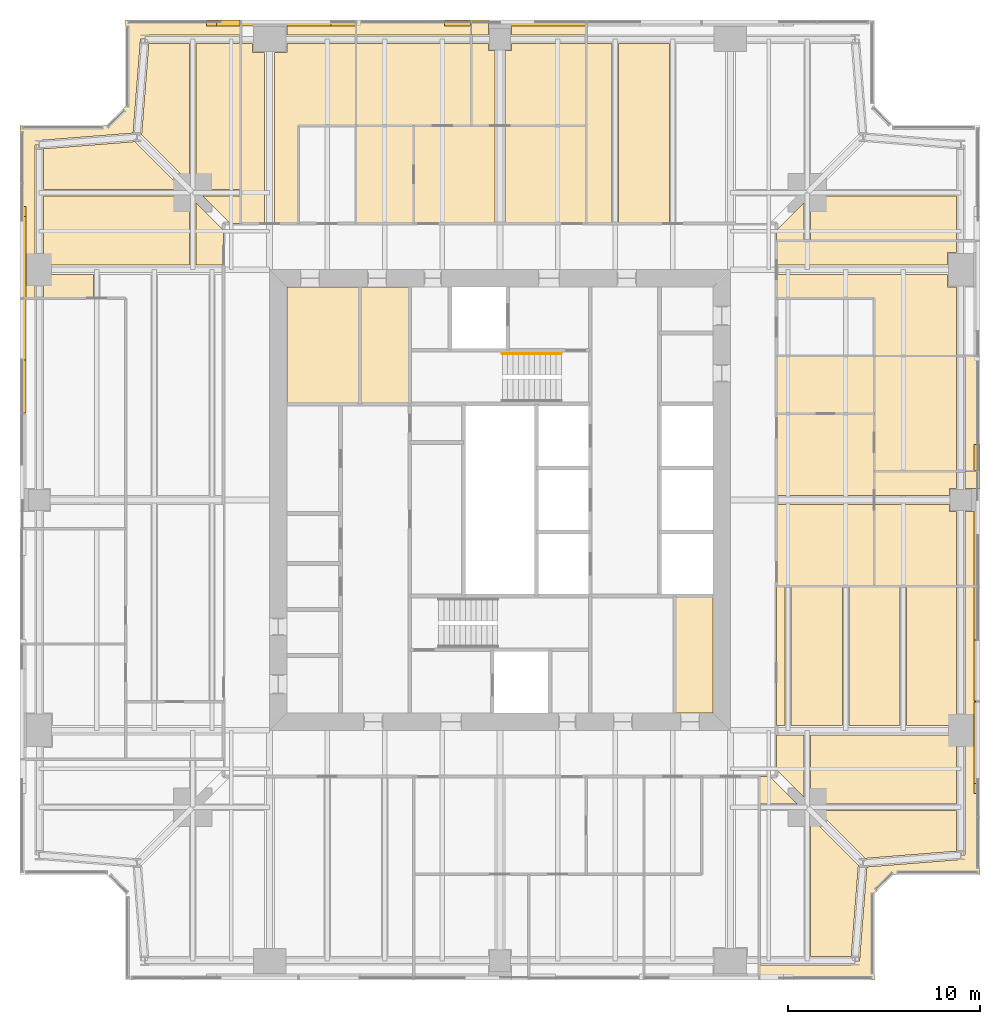
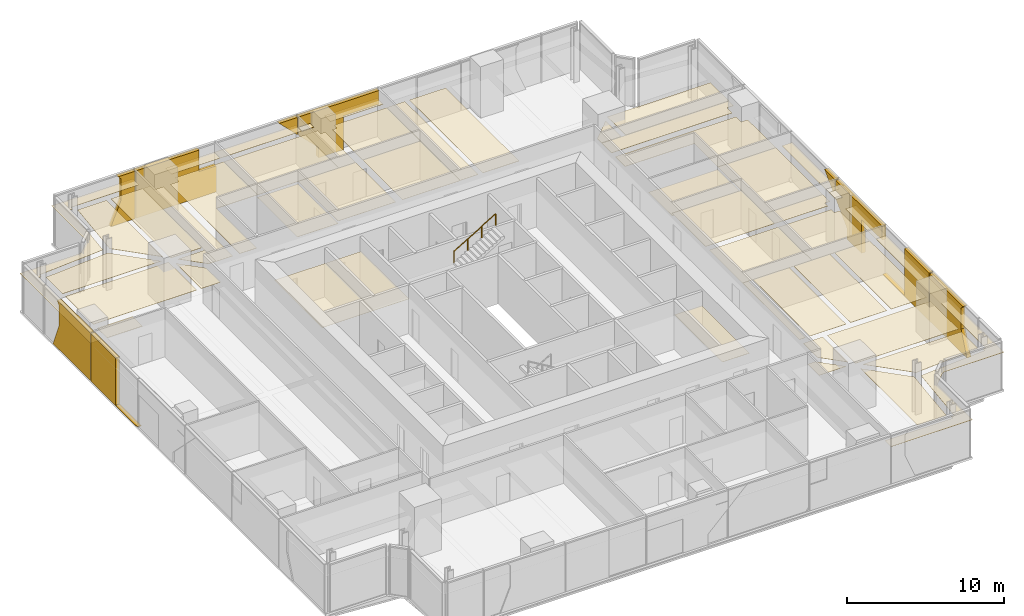
# One storey, part 14 of 15: 58 coverings, 1 railing.
"""IFC4 building model written with IfcOpenShell, lengths in metres."""

from ifc_helpers import new_model, si_unit, direction, frame, origin, origin_2d, place, context, subcontext, project, spatial, polyline, circle, outline, extrude, material, layer, layer_set, type_object, element, save


model = new_model("IFC4")

# Units and contexts
model_context = context("Model", 3, precision=1e-05, world=origin(), true_north=direction((0.0, 1.0)))
body_context = subcontext(model_context, "Body", "Model", "MODEL_VIEW")
ifc_project = project(units=[si_unit("LENGTHUNIT", "METRE"), si_unit("AREAUNIT", "SQUARE_METRE"), si_unit("VOLUMEUNIT", "CUBIC_METRE"), si_unit("PLANEANGLEUNIT", "RADIAN"), si_unit("MASSUNIT", "GRAM", prefix="KILO")], contexts=[model_context])

# Site, building, storey
site_placement = place(None, origin())
site = spatial("IfcSite", under=ifc_project, at=site_placement, CompositionType="ELEMENT")
building_placement = place(site_placement, origin())
building = spatial("IfcBuilding", under=site, at=building_placement, Name="Fenwick Lantern Interchange", CompositionType="ELEMENT")
storey_placement = place(building_placement, frame((0.0, 0.0, 229.800048828125)))
storey = spatial("IfcBuildingStorey", under=building, at=storey_placement, Name="L54", CompositionType="ELEMENT", Elevation=229.800048828125)

# Coverings
ifc_material_1 = material(Name="Mineral fibre acoustic tile on suspended grid")
ifc_layer_1 = layer(ifc_material_1, 0.02001953125)
ifc_layer_set_1 = layer_set([ifc_layer_1], Name="ACOUSTIC TILE CEILING 20")
covering_type_1 = type_object("IfcCoveringType", Name="ACOUSTIC TILE CEILING 20", PredefinedType="CEILING", material=ifc_layer_set_1)
covering_1_placement = place(storey_placement, frame((0.0, 0.0, 2.884033203125)))
element("IfcCovering", 1, at=covering_1_placement, inside=storey, type_object=covering_type_1, Name="Meeting room ceiling", PredefinedType="CEILING", context=body_context, shape_type="SweptSolid", body=[
    extrude(outline(polyline([(44.5, 20.5), (48.775634765625, 20.5), (48.775634765625, 24.39990234375), (48.39990234375, 24.39990234375), (48.39990234375, 24.775634765625), (44.5, 24.775634765625), (44.5, 20.5)])), origin(), (0.0, 0.0, 1.0), 0.02001953125),
])
covering_2_placement = place(storey_placement, frame((0.0, 0.0, 2.884033203125)))
element("IfcCovering", 2, at=covering_2_placement, inside=storey, type_object=covering_type_1, Name="Meeting room ceiling", PredefinedType="CEILING", context=body_context, shape_type="SweptSolid", body=[
    extrude(outline(polyline([(44.5, 26.5), (44.5, 25.224365234375), (48.39990234375, 25.224365234375), (48.39990234375, 25.60009765625), (48.775634765625, 25.60009765625), (48.775634765625, 26.5), (44.5, 26.5)])), origin(), (0.0, 0.0, 1.0), 0.02001953125),
])
covering_3_placement = place(storey_placement, frame((0.0, 0.0, 2.884033203125)))
element("IfcCovering", 3, at=covering_3_placement, inside=storey, type_object=covering_type_1, Name="Meeting room ceiling", PredefinedType="CEILING", context=body_context, shape_type="SweptSolid", body=[
    extrude(outline(polyline([(49.224365234375, 20.5), (50.0, 20.5), (50.0, 24.39990234375), (49.224365234375, 24.39990234375), (49.224365234375, 20.5)])), origin(), (0.0, 0.0, 1.0), 0.02001953125),
])
covering_4_placement = place(storey_placement, frame((0.0, 0.0, 2.884033203125)))
element("IfcCovering", 4, at=covering_4_placement, inside=storey, type_object=covering_type_1, Name="Meeting room ceiling", PredefinedType="CEILING", context=body_context, shape_type="SweptSolid", body=[
    extrude(outline(polyline([(50.0, 26.5), (49.224365234375, 26.5), (49.224365234375, 25.60009765625), (50.0, 25.60009765625), (50.0, 26.5)])), origin(), (0.0, 0.0, 1.0), 0.02001953125),
])
covering_5_placement = place(storey_placement, frame((0.0, 0.0, 2.884033203125)))
element("IfcCovering", 5, at=covering_5_placement, inside=storey, type_object=covering_type_1, Name="Meeting room ceiling", PredefinedType="CEILING", context=body_context, shape_type="SweptSolid", body=[
    extrude(outline(polyline([(44.5, 26.5), (48.775634765625, 26.5), (48.775634765625, 32.5), (44.5, 32.5), (44.5, 26.5)])), origin(), (0.0, 0.0, 1.0), 0.02001953125),
])
covering_6_placement = place(storey_placement, frame((0.0, 0.0, 2.884033203125)))
element("IfcCovering", 6, at=covering_6_placement, inside=storey, type_object=covering_type_1, Name="Meeting room ceiling", PredefinedType="CEILING", context=body_context, shape_type="SweptSolid", body=[
    extrude(outline(polyline([(50.0, 32.5), (49.224365234375, 32.5), (49.224365234375, 26.5), (50.0, 26.5), (50.0, 32.5)])), origin(), (0.0, 0.0, 1.0), 0.02001953125),
])
covering_7_placement = place(storey_placement, frame((0.0, 0.0, 2.89990234375)))
element("IfcCovering", 7, at=covering_7_placement, inside=storey, type_object=covering_type_1, Name="Open office ceiling", PredefinedType="CEILING", context=body_context, shape_type="SweptSolid", body=[
    extrude(outline(polyline([(48.775634765625, 12.756591796875), (41.166015625, 12.756591796875), (41.166015625, 9.17822265625), (41.172119140625, 9.172119140625), (41.17822265625, 9.166015625), (48.775634765625, 9.166015625), (48.775634765625, 12.756591796875)])), origin(), (0.0, 0.0, 1.0), 0.02001953125),
])
covering_8_placement = place(storey_placement, frame((0.0, 0.0, 2.89990234375)))
element("IfcCovering", 8, at=covering_8_placement, inside=storey, type_object=covering_type_1, Name="Open office ceiling", PredefinedType="CEILING", context=body_context, shape_type="SweptSolid", body=[
    extrude(outline(polyline([(50.0, 5.5), (50.0, 20.5), (49.224365234375, 20.5), (49.224365234375, 13.0), (49.224365234375, 6.5), (49.0, 6.5), (49.017578125, 6.276123046875), (44.10888671875, 5.89111328125), (43.723876953125, 0.982421875), (43.5, 1.0), (43.5, 0.775634765625), (38.5, 0.775634765625), (38.5, 0.0), (44.5, 0.0), (44.5, 4.5), (45.5, 5.5), (50.0, 5.5)])), origin(), (0.0, 0.0, 1.0), 0.02001953125),
])
covering_9_placement = place(storey_placement, frame((0.0, 0.0, 2.89990234375)))
element("IfcCovering", 9, at=covering_9_placement, inside=storey, type_object=covering_type_1, Name="Open office ceiling", PredefinedType="CEILING", context=body_context, shape_type="SweptSolid", body=[
    extrude(outline(polyline([(42.833984375, 20.5), (40.166015625, 20.5), (40.166015625, 13.243408203125), (42.833984375, 13.243408203125), (42.833984375, 20.5)])), origin(), (0.0, 0.0, 1.0), 0.02001953125),
])
covering_10_placement = place(storey_placement, frame((0.0, 0.0, 2.89990234375)))
element("IfcCovering", 10, at=covering_10_placement, inside=storey, type_object=covering_type_1, Name="Open office ceiling", PredefinedType="CEILING", context=body_context, shape_type="SweptSolid", body=[
    extrude(outline(polyline([(45.833984375, 20.5), (43.166015625, 20.5), (43.166015625, 13.243408203125), (45.833984375, 13.243408203125), (45.833984375, 20.5)])), origin(), (0.0, 0.0, 1.0), 0.02001953125),
])
covering_11_placement = place(storey_placement, frame((0.0, 0.0, 2.89990234375)))
element("IfcCovering", 11, at=covering_11_placement, inside=storey, type_object=covering_type_1, Name="Open office ceiling", PredefinedType="CEILING", context=body_context, shape_type="SweptSolid", body=[
    extrude(outline(polyline([(48.775634765625, 20.5), (46.166015625, 20.5), (46.166015625, 13.243408203125), (48.775634765625, 13.243408203125), (48.775634765625, 20.5)])), origin(), (0.0, 0.0, 1.0), 0.02001953125),
])
covering_12_placement = place(storey_placement, frame((0.0, 0.0, 2.89990234375)))
element("IfcCovering", 12, at=covering_12_placement, inside=storey, type_object=covering_type_1, Name="Open office ceiling", PredefinedType="CEILING", context=body_context, shape_type="SweptSolid", body=[
    extrude(outline(polyline([(41.510498046875, 8.833984375), (44.010498046875, 6.333740234375), (48.775634765625, 6.70751953125), (48.775634765625, 8.833984375), (41.510498046875, 8.833984375)])), origin(), (0.0, 0.0, 1.0), 0.02001953125),
])
covering_13_placement = place(storey_placement, frame((0.0, 0.0, 2.89990234375)))
element("IfcCovering", 13, at=covering_13_placement, inside=storey, type_object=covering_type_1, Name="Open office ceiling", PredefinedType="CEILING", context=body_context, shape_type="SweptSolid", body=[
    extrude(outline(polyline([(43.666259765625, 5.989501953125), (41.166015625, 8.489501953125), (41.166015625, 1.224365234375), (43.29248046875, 1.224365234375), (43.666259765625, 5.989501953125)])), origin(), (0.0, 0.0, 1.0), 0.02001953125),
])
covering_14_placement = place(storey_placement, frame((0.0, 0.0, 2.89990234375)))
element("IfcCovering", 14, at=covering_14_placement, inside=storey, type_object=covering_type_1, Name="Open office ceiling", PredefinedType="CEILING", context=body_context, shape_type="SweptSolid", body=[
    extrude(outline(polyline([(39.39990234375, 12.756591796875), (39.39990234375, 10.9443359375), (40.833984375, 9.510498046875), (40.833984375, 12.756591796875), (39.39990234375, 12.756591796875)])), origin(), (0.0, 0.0, 1.0), 0.02001953125),
])
covering_15_placement = place(storey_placement, frame((0.0, 0.0, 2.89990234375)))
element("IfcCovering", 15, at=covering_15_placement, inside=storey, type_object=covering_type_1, Name="Open office ceiling", PredefinedType="CEILING", context=body_context, shape_type="SweptSolid", body=[
    extrude(outline(polyline([(39.39990234375, 20.5), (39.39990234375, 13.243408203125), (39.833984375, 13.243408203125), (39.833984375, 20.5), (39.39990234375, 20.5)])), origin(), (0.0, 0.0, 1.0), 0.02001953125),
])
covering_16_placement = place(storey_placement, frame((0.0, 0.0, 2.89990234375)))
element("IfcCovering", 16, at=covering_16_placement, inside=storey, type_object=covering_type_1, Name="Open office ceiling", PredefinedType="CEILING", context=body_context, shape_type="SweptSolid", body=[
    extrude(outline(polyline([(38.5, 10.60009765625), (38.5, 9.166015625), (40.489501953125, 9.166015625), (39.0556640625, 10.60009765625), (38.5, 10.60009765625)])), origin(), (0.0, 0.0, 1.0), 0.02001953125),
])
covering_17_placement = place(storey_placement, frame((0.0, 0.0, 2.884033203125)))
element("IfcCovering", 17, at=covering_17_placement, inside=storey, type_object=covering_type_1, Name="Meeting room ceiling", PredefinedType="CEILING", context=body_context, shape_type="SweptSolid", body=[
    extrude(outline(polyline([(48.300048828125, 36.10009765625), (48.300048828125, 36.756591796875), (39.39990234375, 36.756591796875), (39.39990234375, 35.5), (44.5, 35.5), (44.5, 32.5), (48.775634765625, 32.5), (48.775634765625, 36.10009765625), (48.300048828125, 36.10009765625)])), origin(), (0.0, 0.0, 1.0), 0.02001953125),
])
covering_18_placement = place(storey_placement, frame((0.0, 0.0, 2.884033203125)))
element("IfcCovering", 18, at=covering_18_placement, inside=storey, type_object=covering_type_1, Name="Meeting room ceiling", PredefinedType="CEILING", context=body_context, shape_type="SweptSolid", body=[
    extrude(outline(polyline([(48.300048828125, 37.89990234375), (48.775634765625, 37.89990234375), (48.775634765625, 38.5), (39.39990234375, 38.5), (39.39990234375, 37.243408203125), (48.300048828125, 37.243408203125), (48.300048828125, 37.89990234375)])), origin(), (0.0, 0.0, 1.0), 0.02001953125),
])
covering_19_placement = place(storey_placement, frame((0.0, 0.0, 2.884033203125)))
element("IfcCovering", 19, at=covering_19_placement, inside=storey, type_object=covering_type_1, Name="Meeting room ceiling", PredefinedType="CEILING", context=body_context, shape_type="SweptSolid", body=[
    extrude(outline(polyline([(29.5, 44.5), (29.5, 48.775634765625), (25.60009765625, 48.775634765625), (25.60009765625, 48.39990234375), (25.256103515625, 48.39990234375), (25.256103515625, 44.5), (29.5, 44.5)])), origin(), (0.0, 0.0, 1.0), 0.02001953125),
])
covering_20_placement = place(storey_placement, frame((0.0, 0.0, 2.884033203125)))
element("IfcCovering", 20, at=covering_20_placement, inside=storey, type_object=covering_type_1, Name="Meeting room ceiling", PredefinedType="CEILING", context=body_context, shape_type="SweptSolid", body=[
    extrude(outline(polyline([(23.5, 44.5), (24.743896484375, 44.5), (24.743896484375, 48.39990234375), (24.39990234375, 48.39990234375), (24.39990234375, 48.775634765625), (23.5, 48.775634765625), (23.5, 44.5)])), origin(), (0.0, 0.0, 1.0), 0.02001953125),
])
covering_21_placement = place(storey_placement, frame((0.0, 0.0, 2.884033203125)))
element("IfcCovering", 21, at=covering_21_placement, inside=storey, type_object=covering_type_1, Name="Meeting room ceiling", PredefinedType="CEILING", context=body_context, shape_type="SweptSolid", body=[
    extrude(outline(polyline([(29.5, 49.224365234375), (29.5, 50.0), (25.60009765625, 50.0), (25.60009765625, 49.224365234375), (29.5, 49.224365234375)])), origin(), (0.0, 0.0, 1.0), 0.02001953125),
])
covering_22_placement = place(storey_placement, frame((0.0, 0.0, 2.884033203125)))
element("IfcCovering", 22, at=covering_22_placement, inside=storey, type_object=covering_type_1, Name="Meeting room ceiling", PredefinedType="CEILING", context=body_context, shape_type="SweptSolid", body=[
    extrude(outline(polyline([(23.5, 50.0), (23.5, 49.224365234375), (24.39990234375, 49.224365234375), (24.39990234375, 50.0), (23.5, 50.0)])), origin(), (0.0, 0.0, 1.0), 0.02001953125),
])
covering_23_placement = place(storey_placement, frame((0.0, 0.0, 2.884033203125)))
element("IfcCovering", 23, at=covering_23_placement, inside=storey, type_object=covering_type_1, Name="Meeting room ceiling", PredefinedType="CEILING", context=body_context, shape_type="SweptSolid", body=[
    extrude(outline(polyline([(23.5, 44.5), (23.5, 48.775634765625), (17.5, 48.775634765625), (17.5, 44.5), (23.5, 44.5)])), origin(), (0.0, 0.0, 1.0), 0.02001953125),
])
covering_24_placement = place(storey_placement, frame((0.0, 0.0, 2.884033203125)))
element("IfcCovering", 24, at=covering_24_placement, inside=storey, type_object=covering_type_1, Name="Meeting room ceiling", PredefinedType="CEILING", context=body_context, shape_type="SweptSolid", body=[
    extrude(outline(polyline([(17.5, 50.0), (17.5, 49.224365234375), (23.5, 49.224365234375), (23.5, 50.0), (17.5, 50.0)])), origin(), (0.0, 0.0, 1.0), 0.02001953125),
])
covering_25_placement = place(storey_placement, frame((0.0, 0.0, 2.89990234375)))
element("IfcCovering", 25, at=covering_25_placement, inside=storey, type_object=covering_type_1, Name="Open office ceiling", PredefinedType="CEILING", context=body_context, shape_type="SweptSolid", body=[
    extrude(outline(polyline([(31.166015625, 39.39990234375), (33.833984375, 39.39990234375), (33.833984375, 48.775634765625), (31.166015625, 48.775634765625), (31.166015625, 39.39990234375)])), origin(), (0.0, 0.0, 1.0), 0.02001953125),
])
covering_26_placement = place(storey_placement, frame((0.0, 0.0, 2.89990234375)))
element("IfcCovering", 26, at=covering_26_placement, inside=storey, type_object=covering_type_1, Name="Open office ceiling", PredefinedType="CEILING", context=body_context, shape_type="SweptSolid", body=[
    extrude(outline(polyline([(41.166015625, 38.5), (48.775634765625, 38.5), (48.775634765625, 40.833984375), (41.17822265625, 40.833984375), (41.172119140625, 40.827880859375), (41.166015625, 40.82177734375), (41.166015625, 38.5)])), origin(), (0.0, 0.0, 1.0), 0.02001953125),
])
covering_27_placement = place(storey_placement, frame((0.0, 0.0, 2.89990234375)))
element("IfcCovering", 27, at=covering_27_placement, inside=storey, type_object=covering_type_1, Name="Open office ceiling", PredefinedType="CEILING", context=body_context, shape_type="SweptSolid", body=[
    extrude(outline(polyline([(29.5, 39.39990234375), (30.833984375, 39.39990234375), (30.833984375, 48.775634765625), (29.5, 48.775634765625), (29.5, 39.39990234375)])), origin(), (0.0, 0.0, 1.0), 0.02001953125),
])
covering_28_placement = place(storey_placement, frame((0.0, 0.0, 2.89990234375)))
element("IfcCovering", 28, at=covering_28_placement, inside=storey, type_object=covering_type_1, Name="Open office ceiling", PredefinedType="CEILING", context=body_context, shape_type="SweptSolid", body=[
    extrude(outline(polyline([(39.39990234375, 38.5), (40.833984375, 38.5), (40.833984375, 40.489501953125), (39.39990234375, 39.0556640625), (39.39990234375, 38.5)])), origin(), (0.0, 0.0, 1.0), 0.02001953125),
])
covering_29_placement = place(storey_placement, frame((0.0, 0.0, 2.884033203125)))
element("IfcCovering", 29, at=covering_29_placement, inside=storey, type_object=covering_type_1, Name="Meeting room ceiling", PredefinedType="CEILING", context=body_context, shape_type="SweptSolid", body=[
    extrude(outline(polyline([(13.89990234375, 48.300048828125), (13.256103515625, 48.300048828125), (13.256103515625, 39.39990234375), (14.5, 39.39990234375), (14.5, 44.5), (17.5, 44.5), (17.5, 48.775634765625), (13.89990234375, 48.775634765625), (13.89990234375, 48.300048828125)])), origin(), (0.0, 0.0, 1.0), 0.02001953125),
])
covering_30_placement = place(storey_placement, frame((0.0, 0.0, 2.884033203125)))
element("IfcCovering", 30, at=covering_30_placement, inside=storey, type_object=covering_type_1, Name="Meeting room ceiling", PredefinedType="CEILING", context=body_context, shape_type="SweptSolid", body=[
    extrude(outline(polyline([(12.10009765625, 48.300048828125), (12.10009765625, 48.775634765625), (11.5, 48.775634765625), (11.5, 39.39990234375), (12.743896484375, 39.39990234375), (12.743896484375, 48.300048828125), (12.10009765625, 48.300048828125)])), origin(), (0.0, 0.0, 1.0), 0.02001953125),
])
covering_31_placement = place(storey_placement, frame((0.0, 0.0, 2.884033203125)))
element("IfcCovering", 31, at=covering_31_placement, inside=storey, type_object=covering_type_1, Name="Meeting room ceiling", PredefinedType="CEILING", context=body_context, shape_type="SweptSolid", body=[
    extrude(outline(polyline([(13.89990234375, 50.0), (13.89990234375, 49.224365234375), (17.5, 49.224365234375), (17.5, 50.0), (13.89990234375, 50.0)])), origin(), (0.0, 0.0, 1.0), 0.02001953125),
])
covering_32_placement = place(storey_placement, frame((0.0, 0.0, 2.89990234375)))
element("IfcCovering", 32, at=covering_32_placement, inside=storey, type_object=covering_type_1, Name="Open office ceiling", PredefinedType="CEILING", context=body_context, shape_type="SweptSolid", body=[
    extrude(outline(polyline([(8.82177734375, 40.833984375), (1.224365234375, 40.833984375), (1.224365234375, 37.243408203125), (8.833984375, 37.243408203125), (8.833984375, 40.82177734375), (8.827880859375, 40.827880859375), (8.82177734375, 40.833984375)])), origin(), (0.0, 0.0, 1.0), 0.02001953125),
])
covering_33_placement = place(storey_placement, frame((0.0, 0.0, 2.89990234375)))
element("IfcCovering", 33, at=covering_33_placement, inside=storey, type_object=covering_type_1, Name="Open office ceiling", PredefinedType="CEILING", context=body_context, shape_type="SweptSolid", body=[
    extrude(outline(polyline([(11.5, 49.224365234375), (11.5, 50.0), (5.5, 50.0), (5.5, 45.5), (4.5, 44.5), (0.0, 44.5), (0.0, 35.5), (0.775634765625, 35.5), (0.775634765625, 37.0), (0.775634765625, 37.0), (0.775634765625, 43.5), (1.0, 43.5), (0.982421875, 43.723876953125), (5.89111328125, 44.10888671875), (6.276123046875, 49.017578125), (6.5, 49.0), (6.5, 49.224365234375), (11.5, 49.224365234375)])), origin(), (0.0, 0.0, 1.0), 0.02001953125),
])
covering_34_placement = place(storey_placement, frame((0.0, 0.0, 2.89990234375)))
element("IfcCovering", 34, at=covering_34_placement, inside=storey, type_object=covering_type_1, Name="Open office ceiling", PredefinedType="CEILING", context=body_context, shape_type="SweptSolid", body=[
    extrude(outline(polyline([(11.5, 41.166015625), (11.5, 48.775634765625), (9.166015625, 48.775634765625), (9.166015625, 41.17822265625), (9.172119140625, 41.172119140625), (9.17822265625, 41.166015625), (11.5, 41.166015625)])), origin(), (0.0, 0.0, 1.0), 0.02001953125),
])
covering_35_placement = place(storey_placement, frame((0.0, 0.0, 2.89990234375)))
element("IfcCovering", 35, at=covering_35_placement, inside=storey, type_object=covering_type_1, Name="Open office ceiling", PredefinedType="CEILING", context=body_context, shape_type="SweptSolid", body=[
    extrude(outline(polyline([(6.70751953125, 48.775634765625), (6.333740234375, 44.010498046875), (8.833984375, 41.510498046875), (8.833984375, 48.775634765625), (6.70751953125, 48.775634765625)])), origin(), (0.0, 0.0, 1.0), 0.02001953125),
])
covering_36_placement = place(storey_placement, frame((0.0, 0.0, 2.89990234375)))
element("IfcCovering", 36, at=covering_36_placement, inside=storey, type_object=covering_type_1, Name="Open office ceiling", PredefinedType="CEILING", context=body_context, shape_type="SweptSolid", body=[
    extrude(outline(polyline([(5.989501953125, 43.666259765625), (1.224365234375, 43.29248046875), (1.224365234375, 41.166015625), (8.489501953125, 41.166015625), (5.989501953125, 43.666259765625)])), origin(), (0.0, 0.0, 1.0), 0.02001953125),
])
covering_37_placement = place(storey_placement, frame((0.0, 0.0, 2.89990234375)))
element("IfcCovering", 37, at=covering_37_placement, inside=storey, type_object=covering_type_1, Name="Open office ceiling", PredefinedType="CEILING", context=body_context, shape_type="SweptSolid", body=[
    extrude(outline(polyline([(10.60009765625, 37.243408203125), (10.60009765625, 39.0556640625), (9.166015625, 40.489501953125), (9.166015625, 37.243408203125), (10.60009765625, 37.243408203125)])), origin(), (0.0, 0.0, 1.0), 0.02001953125),
])
covering_38_placement = place(storey_placement, frame((0.0, 0.0, 2.89990234375)))
element("IfcCovering", 38, at=covering_38_placement, inside=storey, type_object=covering_type_1, Name="Open office ceiling", PredefinedType="CEILING", context=body_context, shape_type="SweptSolid", body=[
    extrude(outline(polyline([(1.224365234375, 35.5), (3.833984375, 35.5), (3.833984375, 36.756591796875), (1.224365234375, 36.756591796875), (1.224365234375, 35.5)])), origin(), (0.0, 0.0, 1.0), 0.02001953125),
])
covering_39_placement = place(storey_placement, frame((0.0, 0.0, 2.89990234375)))
element("IfcCovering", 39, at=covering_39_placement, inside=storey, type_object=covering_type_1, Name="Open office ceiling", PredefinedType="CEILING", context=body_context, shape_type="SweptSolid", body=[
    extrude(outline(polyline([(11.5, 39.39990234375), (11.5, 40.833984375), (9.510498046875, 40.833984375), (10.9443359375, 39.39990234375), (11.5, 39.39990234375)])), origin(), (0.0, 0.0, 1.0), 0.02001953125),
])
ifc_material_2 = material(Name="Granite cladding, warm grey flamed finish, on aluminium carrier frame", Category="masonry")
ifc_layer_2 = layer(ifc_material_2, 0.300048828125)
ifc_layer_set_2 = layer_set([ifc_layer_2], Name="BRACE CASING PANEL 300")
covering_type_2 = type_object("IfcCoveringType", Name="BRACE CASING PANEL 300", PredefinedType="CLADDING", material=ifc_layer_set_2)
covering_40_placement = place(storey_placement, frame((49.89990234375, 5.60009765625, 0.0), z_axis=(0.0, 0.0, 1.0), x_axis=(0.0, 1.0, 0.0)))
element("IfcCovering", 40, at=covering_40_placement, inside=storey, type_object=covering_type_2, Name="Brace casing 05 bay 01a", PredefinedType="CLADDING", context=body_context, shape_type="SweptSolid", body=[
    extrude(outline(polyline([(4.113525390625, 0.0), (8.867431640625, 0.0), (8.867431640625, 3.699951171875), (4.637451171875, 3.699951171875), (4.8544921875, 3.463134765625), (4.8544921875, 1.810791015625), (4.113525390625, 0.0)])), frame((0.0, 0.2001953125, 0.0), z_axis=(0.0, -1.0, 0.0), x_axis=(1.0, 0.0, 0.0)), (0.0, 0.0, 1.0), 0.300048828125),
])
covering_41_placement = place(storey_placement, frame((49.89990234375, 5.60009765625, 0.0), z_axis=(0.0, 0.0, 1.0), x_axis=(0.0, 1.0, 0.0)))
element("IfcCovering", 41, at=covering_41_placement, inside=storey, type_object=covering_type_2, Name="Brace casing 05 bay 02a", PredefinedType="CLADDING", context=body_context, shape_type="SweptSolid", body=[
    extrude(outline(polyline([(8.9326171875, 0.0), (14.867431640625, 0.0), (14.867431640625, 0.039306640625), (12.103271484375, 0.039306640625), (12.103271484375, 3.699951171875), (8.9326171875, 3.699951171875), (8.9326171875, 0.0)])), frame((0.0, 0.2001953125, 0.0), z_axis=(0.0, -1.0, 0.0), x_axis=(1.0, 0.0, 0.0)), (0.0, 0.0, 1.0), 0.300048828125),
])
covering_42_placement = place(storey_placement, frame((49.89990234375, 5.60009765625, 0.0), z_axis=(0.0, 0.0, 1.0), x_axis=(0.0, 1.0, 0.0)))
element("IfcCovering", 42, at=covering_42_placement, inside=storey, type_object=covering_type_2, Name="Brace casing 05 bay 03a", PredefinedType="CLADDING", context=body_context, shape_type="SweptSolid", body=[
    extrude(outline(polyline([(17.567626953125, 0.0), (19.39990234375, 0.0), (19.39990234375, 0.804443359375), (20.867431640625, 2.27197265625), (20.867431640625, 3.699951171875), (14.9326171875, 3.699951171875), (14.9326171875, 2.636962890625), (17.567626953125, 2.636962890625), (17.567626953125, 0.0)])), frame((0.0, 0.2001953125, 0.0), z_axis=(0.0, -1.0, 0.0), x_axis=(1.0, 0.0, 0.0)), (0.0, 0.0, 1.0), 0.300048828125),
])
covering_43_placement = place(storey_placement, frame((49.89990234375, 5.60009765625, 2.3369140625), z_axis=(0.0, 0.0, 1.0), x_axis=(0.0, 1.0, 0.0)))
element("IfcCovering", 43, at=covering_43_placement, inside=storey, type_object=covering_type_2, Name="Brace casing 05 bay 04a", PredefinedType="CLADDING", context=body_context, shape_type="SweptSolid", body=[
    extrude(outline(polyline([(20.9326171875, 0.0), (22.295654296875, 1.363037109375), (20.9326171875, 1.363037109375), (20.9326171875, 0.0)])), frame((0.0, 0.2001953125, 0.0), z_axis=(0.0, -1.0, 0.0), x_axis=(1.0, 0.0, 0.0)), (0.0, 0.0, 1.0), 0.300048828125),
])
covering_44_placement = place(storey_placement, frame((44.39990234375, 49.89990234375, 0.0), z_axis=(0.0, 0.0, 1.0), x_axis=(-1.0, 0.0, 0.0)))
element("IfcCovering", 44, at=covering_44_placement, inside=storey, type_object=covering_type_2, Name="Brace casing 09 bay 03a", PredefinedType="CLADDING", context=body_context, shape_type="SweptSolid", body=[
    extrude(outline(polyline([(17.567626953125, 0.0), (19.39990234375, 0.0), (19.39990234375, 0.804443359375), (20.867431640625, 2.27197265625), (20.867431640625, 3.699951171875), (14.9326171875, 3.699951171875), (14.9326171875, 2.636962890625), (17.567626953125, 2.636962890625), (17.567626953125, 0.0)])), frame((0.0, 0.2001953125, 0.0), z_axis=(0.0, -1.0, 0.0), x_axis=(1.0, 0.0, 0.0)), (0.0, 0.0, 1.0), 0.300048828125),
])
covering_45_placement = place(storey_placement, frame((44.39990234375, 49.89990234375, 2.3369140625), z_axis=(0.0, 0.0, 1.0), x_axis=(-1.0, 0.0, 0.0)))
element("IfcCovering", 45, at=covering_45_placement, inside=storey, type_object=covering_type_2, Name="Brace casing 09 bay 04a", PredefinedType="CLADDING", context=body_context, shape_type="SweptSolid", body=[
    extrude(outline(polyline([(20.9326171875, 0.0), (22.295654296875, 1.363037109375), (20.9326171875, 1.363037109375), (20.9326171875, 0.0)])), frame((0.0, 0.2001953125, 0.0), z_axis=(0.0, -1.0, 0.0), x_axis=(1.0, 0.0, 0.0)), (0.0, 0.0, 1.0), 0.300048828125),
])
covering_46_placement = place(storey_placement, frame((44.39990234375, 49.89990234375, 0.0), z_axis=(0.0, 0.0, 1.0), x_axis=(-1.0, 0.0, 0.0)))
element("IfcCovering", 46, at=covering_46_placement, inside=storey, type_object=covering_type_2, Name="Brace casing 09 bay 05a", PredefinedType="CLADDING", context=body_context, shape_type="SweptSolid", body=[
    extrude(outline(polyline([(26.9326171875, 0.0), (32.867431640625, 0.0), (32.867431640625, 3.699951171875), (28.197509765625, 3.699951171875), (28.197509765625, 2.02587890625), (26.9326171875, 2.02587890625), (26.9326171875, 0.0)])), frame((0.0, 0.2001953125, 0.0), z_axis=(0.0, -1.0, 0.0), x_axis=(1.0, 0.0, 0.0)), (0.0, 0.0, 1.0), 0.300048828125),
])
covering_47_placement = place(storey_placement, frame((44.39990234375, 49.89990234375, 0.0), z_axis=(0.0, 0.0, 1.0), x_axis=(-1.0, 0.0, 0.0)))
element("IfcCovering", 47, at=covering_47_placement, inside=storey, type_object=covering_type_2, Name="Brace casing 09 bay 06a", PredefinedType="CLADDING", context=body_context, shape_type="SweptSolid", body=[
    extrude(outline(polyline([(32.9326171875, 0.0), (34.6865234375, 0.0), (33.945556640625, 1.810791015625), (33.945556640625, 3.463134765625), (34.16259765625, 3.699951171875), (32.9326171875, 3.699951171875), (32.9326171875, 0.0)])), frame((0.0, 0.2001953125, 0.0), z_axis=(0.0, -1.0, 0.0), x_axis=(1.0, 0.0, 0.0)), (0.0, 0.0, 1.0), 0.300048828125),
])
covering_48_placement = place(storey_placement, frame((0.10009765625, 44.39990234375, 0.0), z_axis=(0.0, 0.0, 1.0), x_axis=(0.0, -1.0, 0.0)))
element("IfcCovering", 48, at=covering_48_placement, inside=storey, type_object=covering_type_2, Name="Brace casing 13 bay 01a", PredefinedType="CLADDING", context=body_context, shape_type="SweptSolid", body=[
    extrude(outline(polyline([(4.113525390625, 0.0), (8.867431640625, 0.0), (8.867431640625, 3.699951171875), (4.637451171875, 3.699951171875), (4.8544921875, 3.463134765625), (4.8544921875, 1.810791015625), (4.113525390625, 0.0)])), frame((0.0, 0.2001953125, 0.0), z_axis=(0.0, -1.0, 0.0), x_axis=(1.0, 0.0, 0.0)), (0.0, 0.0, 1.0), 0.300048828125),
])
covering_49_placement = place(storey_placement, frame((0.10009765625, 44.39990234375, 0.0), z_axis=(0.0, 0.0, 1.0), x_axis=(0.0, -1.0, 0.0)))
element("IfcCovering", 49, at=covering_49_placement, inside=storey, type_object=covering_type_2, Name="Brace casing 13 bay 02a", PredefinedType="CLADDING", context=body_context, shape_type="SweptSolid", body=[
    extrude(outline(polyline([(8.9326171875, 0.0), (14.867431640625, 0.0), (14.867431640625, 0.039306640625), (12.103271484375, 0.039306640625), (12.103271484375, 3.699951171875), (8.9326171875, 3.699951171875), (8.9326171875, 0.0)])), frame((0.0, 0.2001953125, 0.0), z_axis=(0.0, -1.0, 0.0), x_axis=(1.0, 0.0, 0.0)), (0.0, 0.0, 1.0), 0.300048828125),
])

# Railing
ifc_material_3 = material(Name="Stainless steel handrail", Category="steel")
railing_type = type_object("IfcRailingType", Name="HANDRAIL 900", PredefinedType="HANDRAIL", material=ifc_material_3)
railing_placement = place(storey_placement, frame((25.1201171875, 32.6259765625, 2.16650390625)))
element("IfcRailing", 50, at=railing_placement, inside=storey, type_object=railing_type, Name="L54/STAIR/ST2/HR2", PredefinedType="HANDRAIL", context=body_context, shape_type="SweptSolid", body=[
    extrude(circle(Radius=0.02392578125, at=origin_2d()), frame((0.0, 0.0, 0.8759765625), z_axis=(0.859260807169, 0.0, 0.511537745687), x_axis=(0.0, 1.0, 0.0)), (0.0, 0.0, 1.0), 3.584228515625),
    extrude(circle(Radius=0.02099609375, at=origin_2d()), origin(), (0.0, 0.0, 1.0), 0.851806640625),
    extrude(circle(Radius=0.02099609375, at=origin_2d()), frame((1.026611328125, 0.0, 0.611083984375)), (0.0, 0.0, 1.0), 0.851806640625),
    extrude(circle(Radius=0.02099609375, at=origin_2d()), frame((2.05322265625, 0.0, 1.222412109375)), (0.0, 0.0, 1.0), 0.851806640625),
    extrude(circle(Radius=0.02099609375, at=origin_2d()), frame((3.079833984375, 0.0, 1.83349609375)), (0.0, 0.0, 1.0), 0.851806640625),
])

# Coverings
ifc_material_4 = material(Name="Moisture resistant gypsum board on suspended frame, painted")
ifc_layer_3 = layer(ifc_material_4, 0.014892578125)
ifc_layer_set_3 = layer_set([ifc_layer_3], Name="MOISTURE RESISTANT CEILING 15")
covering_type_3 = type_object("IfcCoveringType", Name="MOISTURE RESISTANT CEILING 15", PredefinedType="CEILING", material=ifc_layer_set_3)
covering_50_placement = place(storey_placement, frame((0.0, 0.0, 2.599853515625)))
element("IfcCovering", 51, at=covering_50_placement, inside=storey, type_object=covering_type_3, Name="Men's WC ceiling", PredefinedType="CEILING", context=body_context, shape_type="SweptSolid", body=[
    extrude(outline(polyline([(34.10009765625, 13.89990234375), (36.10009765625, 13.89990234375), (36.10009765625, 20.0), (34.10009765625, 20.0), (34.10009765625, 13.89990234375)])), origin(), (0.0, 0.0, 1.0), 0.01513671875),
])
covering_51_placement = place(storey_placement, frame((0.0, 0.0, 2.599853515625)))
element("IfcCovering", 52, at=covering_51_placement, inside=storey, type_object=covering_type_3, Name="Men's WC ceiling", PredefinedType="CEILING", context=body_context, shape_type="SweptSolid", body=[
    extrude(outline(polyline([(20.300048828125, 36.10009765625), (17.699951171875, 36.10009765625), (17.699951171875, 30.0), (20.300048828125, 30.0), (20.300048828125, 36.10009765625)])), origin(), (0.0, 0.0, 1.0), 0.01513671875),
])
covering_52_placement = place(storey_placement, frame((0.0, 0.0, 2.599853515625)))
element("IfcCovering", 53, at=covering_52_placement, inside=storey, type_object=covering_type_3, Name="Women's WC ceiling", PredefinedType="CEILING", context=body_context, shape_type="SweptSolid", body=[
    extrude(outline(polyline([(17.699951171875, 36.10009765625), (13.89990234375, 36.10009765625), (13.89990234375, 30.0), (17.699951171875, 30.0), (17.699951171875, 36.10009765625)])), origin(), (0.0, 0.0, 1.0), 0.01513671875),
])
covering_53_placement = place(storey_placement, frame((0.0, 0.0, 2.699951171875)))
element("IfcCovering", 54, at=covering_53_placement, inside=storey, type_object=covering_type_3, Name="Pantry ceiling", PredefinedType="CEILING", context=body_context, shape_type="SweptSolid", body=[
    extrude(outline(polyline([(44.5, 29.5), (44.5, 32.5), (39.39990234375, 32.5), (39.39990234375, 29.5), (44.5, 29.5)])), origin(), (0.0, 0.0, 1.0), 0.014892578125),
])
covering_54_placement = place(storey_placement, frame((0.0, 0.0, 2.699951171875)))
element("IfcCovering", 55, at=covering_54_placement, inside=storey, type_object=covering_type_3, Name="Pantry ceiling", PredefinedType="CEILING", context=body_context, shape_type="SweptSolid", body=[
    extrude(outline(polyline([(20.5, 44.5), (17.5, 44.5), (17.5, 39.39990234375), (20.5, 39.39990234375), (20.5, 44.5)])), origin(), (0.0, 0.0, 1.0), 0.014892578125),
])
ifc_material_5 = material(Name="Gypsum plasterboard on suspended frame, painted")
ifc_layer_4 = layer(ifc_material_5, 0.014892578125)
ifc_layer_set_4 = layer_set([ifc_layer_4], Name="PLASTERBOARD CEILING 15")
covering_type_4 = type_object("IfcCoveringType", Name="PLASTERBOARD CEILING 15", PredefinedType="CEILING", material=ifc_layer_set_4)
covering_55_placement = place(storey_placement, frame((0.0, 0.0, 2.88916015625)))
element("IfcCovering", 56, at=covering_55_placement, inside=storey, type_object=covering_type_4, Name="Reception ceiling", PredefinedType="CEILING", context=body_context, shape_type="SweptSolid", body=[
    extrude(outline(polyline([(39.39990234375, 20.5), (44.5, 20.5), (44.5, 24.775634765625), (39.39990234375, 24.775634765625), (39.39990234375, 20.5)])), origin(), (0.0, 0.0, 1.0), 0.014892578125),
])
covering_56_placement = place(storey_placement, frame((0.0, 0.0, 2.88916015625)))
element("IfcCovering", 57, at=covering_56_placement, inside=storey, type_object=covering_type_4, Name="Reception ceiling", PredefinedType="CEILING", context=body_context, shape_type="SweptSolid", body=[
    extrude(outline(polyline([(39.39990234375, 29.5), (39.39990234375, 25.224365234375), (44.5, 25.224365234375), (44.5, 29.5), (39.39990234375, 29.5)])), origin(), (0.0, 0.0, 1.0), 0.014892578125),
])
covering_57_placement = place(storey_placement, frame((0.0, 0.0, 2.88916015625)))
element("IfcCovering", 58, at=covering_57_placement, inside=storey, type_object=covering_type_4, Name="Reception ceiling", PredefinedType="CEILING", context=body_context, shape_type="SweptSolid", body=[
    extrude(outline(polyline([(20.5, 39.39990234375), (24.743896484375, 39.39990234375), (24.743896484375, 44.5), (20.5, 44.5), (20.5, 39.39990234375)])), origin(), (0.0, 0.0, 1.0), 0.014892578125),
])
covering_58_placement = place(storey_placement, frame((0.0, 0.0, 2.88916015625)))
element("IfcCovering", 59, at=covering_58_placement, inside=storey, type_object=covering_type_4, Name="Reception ceiling", PredefinedType="CEILING", context=body_context, shape_type="SweptSolid", body=[
    extrude(outline(polyline([(29.5, 39.39990234375), (29.5, 44.5), (25.256103515625, 44.5), (25.256103515625, 39.39990234375), (29.5, 39.39990234375)])), origin(), (0.0, 0.0, 1.0), 0.014892578125),
])

save(model, "model.ifc")
